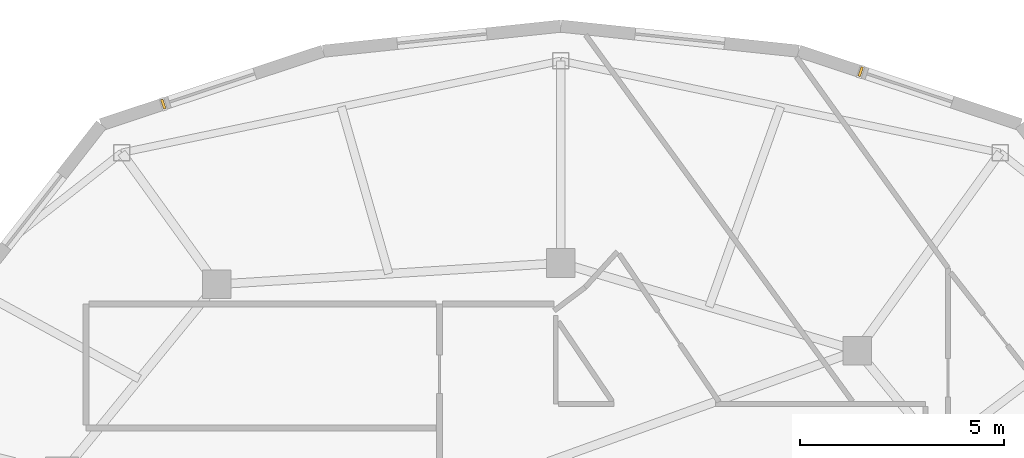
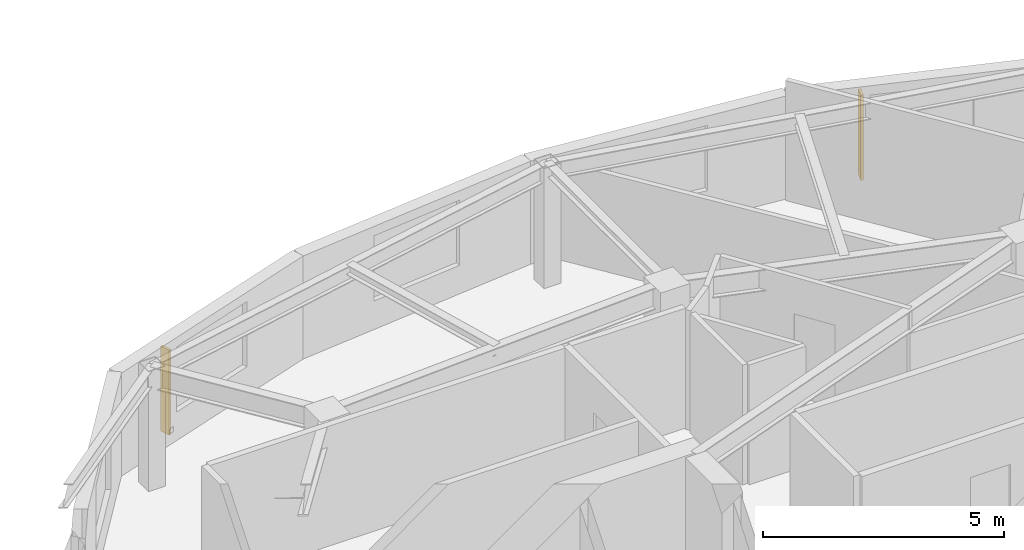
# One storey, part 11 of 11: 2 shading devices.
"""IFC4 building model written with IfcOpenShell, lengths in metres."""

from ifc_helpers import new_model, si_unit, direction, frame, origin, origin_2d, place, context, subcontext, project, spatial, rectangle, extrude, material, type_object, element, save


model = new_model("IFC4")

# Units and contexts
model_context = context("Model", 3, precision=1e-05, world=origin(), true_north=direction((0.0, 1.0)))
body_context = subcontext(model_context, "Body", "Model", "MODEL_VIEW")
ifc_project = project(units=[si_unit("LENGTHUNIT", "METRE"), si_unit("AREAUNIT", "SQUARE_METRE"), si_unit("VOLUMEUNIT", "CUBIC_METRE"), si_unit("PLANEANGLEUNIT", "RADIAN"), si_unit("MASSUNIT", "GRAM", prefix="KILO")], contexts=[model_context])

# Site, building, storey
site_placement = place(None, origin())
site = spatial("IfcSite", under=ifc_project, at=site_placement, CompositionType="ELEMENT")
building_placement = place(site_placement, origin())
building = spatial("IfcBuilding", under=site, at=building_placement, Name="Kolvaren Gate Tower and Convention Centre", CompositionType="ELEMENT")
storey_placement = place(building_placement, frame((0.0, 0.0, 242.60009765625)))
storey = spatial("IfcBuildingStorey", under=building, at=storey_placement, Name="L65", CompositionType="ELEMENT", Elevation=242.60009765625)

# Shading devices
ifc_material = material(Name="Kiln-Fired Bogota Terracotta Ceramic Louvre Profile", Category="masonry")
shading_device_type = type_object("IfcShadingDeviceType", Name="ARCH-SHD-FIN-180", PredefinedType="JALOUSIE", material=ifc_material)
for number, where, z_axis, x_axis, name in (
    (1, (37.46533203125, 43.884033203125, 0.219970703125), (0.0, 0.0, 1.0), (0.949241728595, -0.314547517385, 0.0), "Ceramic Vertical Brise-Soleil Fin FN-L65-04"),
    (2, (20.391845703125, 43.091064453125, 0.219970703125), (0.0, 0.0, 1.0), (0.949241728595, 0.314547517385, 0.0), "Ceramic Vertical Brise-Soleil Fin FN-L65-07"),
):
    element("IfcShadingDevice", number, at=place(storey_placement, frame(where, z_axis=z_axis, x_axis=x_axis)), inside=storey, type_object=shading_device_type, Name=name, PredefinedType="JALOUSIE", context=body_context, shape_type="SweptSolid", body=[
        extrude(rectangle(XDim=0.06005859375, YDim=0.239990234375, at=origin_2d()), origin(), (0.0, 0.0, 1.0), 2.14990234375),
    ])

save(model, "model.ifc")
